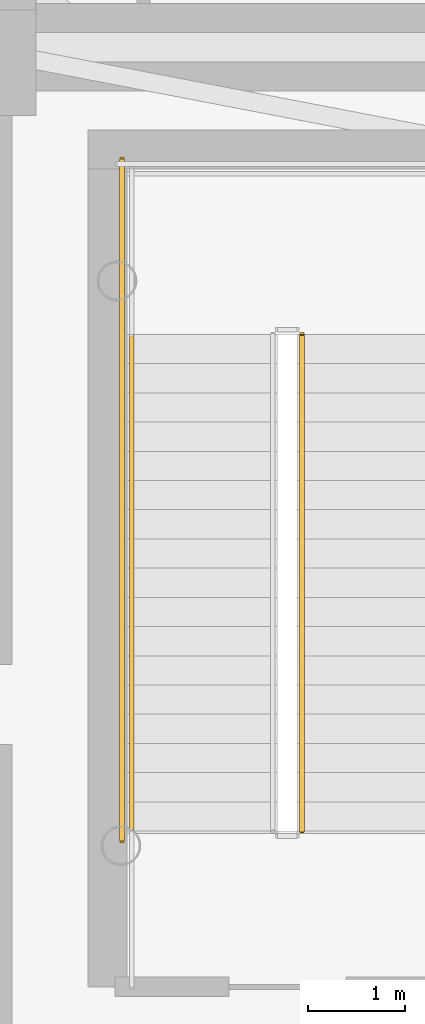
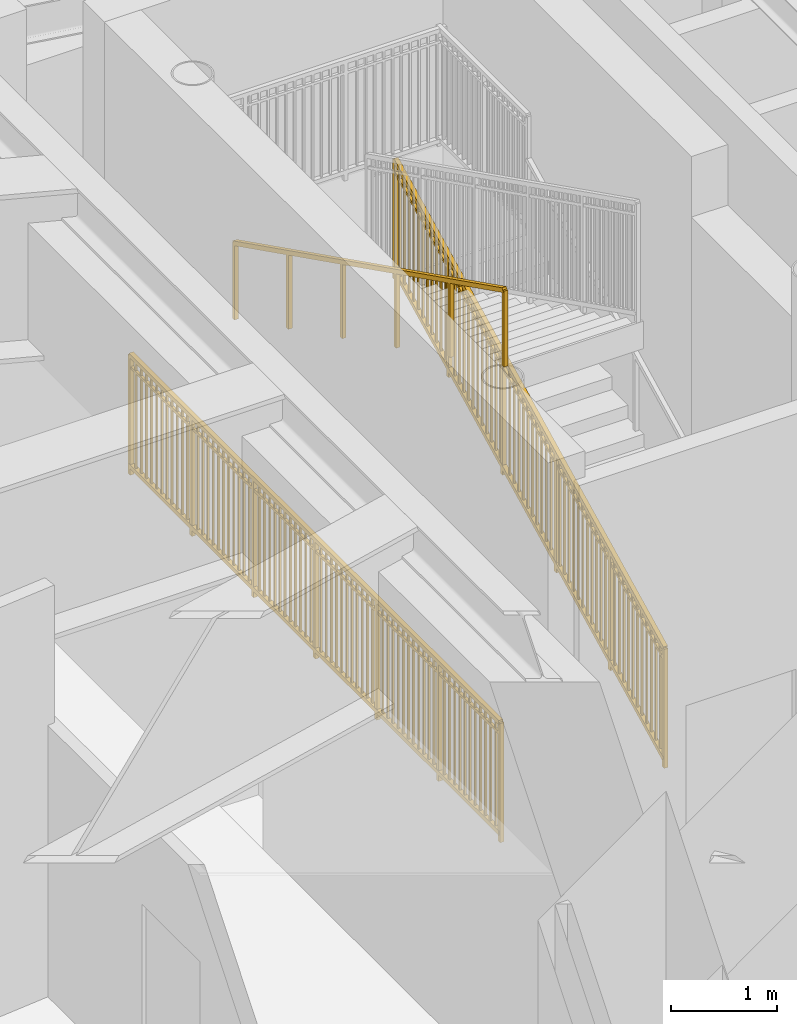
# One storey, part 17 of 22: 3 railings.
"""IFC4 building model written with IfcOpenShell, lengths in metres."""

from ifc_helpers import new_model, si_unit, direction, frame, origin, origin_2d, place, context, subcontext, project, spatial, rectangle, extrude, source, transform, mapped, material, type_object, element, save


model = new_model("IFC4")

# Units and contexts
model_context = context("Model", 3, precision=1e-05, world=origin(), true_north=direction((0.0, 1.0)))
body_context = subcontext(model_context, "Body", "Model", "MODEL_VIEW")
ifc_project = project(units=[si_unit("LENGTHUNIT", "METRE"), si_unit("AREAUNIT", "SQUARE_METRE"), si_unit("VOLUMEUNIT", "CUBIC_METRE"), si_unit("PLANEANGLEUNIT", "RADIAN"), si_unit("MASSUNIT", "GRAM", prefix="KILO")], contexts=[model_context])

# Site, building, storey
site_placement = place(None, origin())
site = spatial("IfcSite", under=ifc_project, at=site_placement, CompositionType="ELEMENT")
building_placement = place(site_placement, origin())
building = spatial("IfcBuilding", under=site, at=building_placement, Name="Linh Dai School and Residence Tower", CompositionType="ELEMENT")
storey_placement = place(building_placement, frame((0.0, 0.0, 87.0)))
storey = spatial("IfcBuildingStorey", under=building, at=storey_placement, Name="L20", CompositionType="ELEMENT", Elevation=87.0)

# Railings
ifc_material_1 = material(Name="Structural Steel S355JR", Category="steel")
railing_type_1 = type_object("IfcRailingType", Name="RL-ST-GUARD-1400", PredefinedType="GUARDRAIL", material=ifc_material_1)
shared_shape_1 = source(origin(), body_context, "Body", "SweptSolid", [
    extrude(rectangle(XDim=0.048095703125, YDim=0.048095703125, at=origin_2d()), frame((0.0, 0.0, 1.3759765625), z_axis=(0.0, 1.0, 0.0), x_axis=(-1.0, 0.0, 0.0)), (0.0, 0.0, 1.0), 7.0),
    extrude(rectangle(XDim=0.048095703125, YDim=0.048095703125, at=origin_2d()), frame((0.0, 0.0, 0.10009765625), z_axis=(0.0, 1.0, 0.0), x_axis=(-1.0, 0.0, 0.0)), (0.0, 0.0, 1.0), 7.0),
    extrude(rectangle(XDim=0.030029296875, YDim=0.030029296875, at=origin_2d()), frame((0.0, 0.0, 1.239990234375), z_axis=(0.0, 1.0, 0.0), x_axis=(-1.0, 0.0, 0.0)), (0.0, 0.0, 1.0), 7.0),
    extrude(rectangle(XDim=0.02001953125, YDim=0.02001953125, at=origin_2d()), frame((0.0, 0.09716796875, 0.10009765625)), (0.0, 0.0, 1.0), 1.251708984375),
    extrude(rectangle(XDim=0.02001953125, YDim=0.02001953125, at=origin_2d()), frame((0.0, 0.1943359375, 0.10009765625)), (0.0, 0.0, 1.0), 1.251708984375),
    extrude(rectangle(XDim=0.02001953125, YDim=0.02001953125, at=origin_2d()), frame((0.0, 0.291748046875, 0.10009765625)), (0.0, 0.0, 1.0), 1.251708984375),
    extrude(rectangle(XDim=0.02001953125, YDim=0.02001953125, at=origin_2d()), frame((0.0, 0.388916015625, 0.10009765625)), (0.0, 0.0, 1.0), 1.251708984375),
    extrude(rectangle(XDim=0.02001953125, YDim=0.02001953125, at=origin_2d()), frame((0.0, 0.486083984375, 0.10009765625)), (0.0, 0.0, 1.0), 1.251708984375),
    extrude(rectangle(XDim=0.02001953125, YDim=0.02001953125, at=origin_2d()), frame((0.0, 0.583251953125, 0.10009765625)), (0.0, 0.0, 1.0), 1.251708984375),
    extrude(rectangle(XDim=0.02001953125, YDim=0.02001953125, at=origin_2d()), frame((0.0, 0.6806640625, 0.10009765625)), (0.0, 0.0, 1.0), 1.251708984375),
    extrude(rectangle(XDim=0.02001953125, YDim=0.02001953125, at=origin_2d()), frame((0.0, 0.77783203125, 0.10009765625)), (0.0, 0.0, 1.0), 1.251708984375),
    extrude(rectangle(XDim=0.02001953125, YDim=0.02001953125, at=origin_2d()), frame((0.0, 0.875, 0.10009765625)), (0.0, 0.0, 1.0), 1.251708984375),
    extrude(rectangle(XDim=0.02001953125, YDim=0.02001953125, at=origin_2d()), frame((0.0, 0.97216796875, 0.10009765625)), (0.0, 0.0, 1.0), 1.251708984375),
    extrude(rectangle(XDim=0.02001953125, YDim=0.02001953125, at=origin_2d()), frame((0.0, 1.0693359375, 0.10009765625)), (0.0, 0.0, 1.0), 1.251708984375),
    extrude(rectangle(XDim=0.02001953125, YDim=0.02001953125, at=origin_2d()), frame((0.0, 1.263916015625, 0.10009765625)), (0.0, 0.0, 1.0), 1.251708984375),
    extrude(rectangle(XDim=0.02001953125, YDim=0.02001953125, at=origin_2d()), frame((0.0, 1.361083984375, 0.10009765625)), (0.0, 0.0, 1.0), 1.251708984375),
    extrude(rectangle(XDim=0.02001953125, YDim=0.02001953125, at=origin_2d()), frame((0.0, 1.458251953125, 0.10009765625)), (0.0, 0.0, 1.0), 1.251708984375),
    extrude(rectangle(XDim=0.02001953125, YDim=0.02001953125, at=origin_2d()), frame((0.0, 1.5556640625, 0.10009765625)), (0.0, 0.0, 1.0), 1.251708984375),
    extrude(rectangle(XDim=0.02001953125, YDim=0.02001953125, at=origin_2d()), frame((0.0, 1.65283203125, 0.10009765625)), (0.0, 0.0, 1.0), 1.251708984375),
    extrude(rectangle(XDim=0.02001953125, YDim=0.02001953125, at=origin_2d()), frame((0.0, 1.75, 0.10009765625)), (0.0, 0.0, 1.0), 1.251708984375),
    extrude(rectangle(XDim=0.02001953125, YDim=0.02001953125, at=origin_2d()), frame((0.0, 1.84716796875, 0.10009765625)), (0.0, 0.0, 1.0), 1.251708984375),
    extrude(rectangle(XDim=0.02001953125, YDim=0.02001953125, at=origin_2d()), frame((0.0, 1.9443359375, 0.10009765625)), (0.0, 0.0, 1.0), 1.251708984375),
    extrude(rectangle(XDim=0.02001953125, YDim=0.02001953125, at=origin_2d()), frame((0.0, 2.041748046875, 0.10009765625)), (0.0, 0.0, 1.0), 1.251708984375),
    extrude(rectangle(XDim=0.02001953125, YDim=0.02001953125, at=origin_2d()), frame((0.0, 2.138916015625, 0.10009765625)), (0.0, 0.0, 1.0), 1.251708984375),
    extrude(rectangle(XDim=0.02001953125, YDim=0.02001953125, at=origin_2d()), frame((0.0, 2.236083984375, 0.10009765625)), (0.0, 0.0, 1.0), 1.251708984375),
    extrude(rectangle(XDim=0.02001953125, YDim=0.02001953125, at=origin_2d()), frame((0.0, 2.4306640625, 0.10009765625)), (0.0, 0.0, 1.0), 1.251708984375),
    extrude(rectangle(XDim=0.02001953125, YDim=0.02001953125, at=origin_2d()), frame((0.0, 2.52783203125, 0.10009765625)), (0.0, 0.0, 1.0), 1.251708984375),
    extrude(rectangle(XDim=0.02001953125, YDim=0.02001953125, at=origin_2d()), frame((0.0, 2.625, 0.10009765625)), (0.0, 0.0, 1.0), 1.251708984375),
    extrude(rectangle(XDim=0.02001953125, YDim=0.02001953125, at=origin_2d()), frame((0.0, 2.72216796875, 0.10009765625)), (0.0, 0.0, 1.0), 1.251708984375),
    extrude(rectangle(XDim=0.02001953125, YDim=0.02001953125, at=origin_2d()), frame((0.0, 2.8193359375, 0.10009765625)), (0.0, 0.0, 1.0), 1.251708984375),
    extrude(rectangle(XDim=0.02001953125, YDim=0.02001953125, at=origin_2d()), frame((0.0, 2.916748046875, 0.10009765625)), (0.0, 0.0, 1.0), 1.251708984375),
    extrude(rectangle(XDim=0.02001953125, YDim=0.02001953125, at=origin_2d()), frame((0.0, 3.013916015625, 0.10009765625)), (0.0, 0.0, 1.0), 1.251708984375),
    extrude(rectangle(XDim=0.02001953125, YDim=0.02001953125, at=origin_2d()), frame((0.0, 3.111083984375, 0.10009765625)), (0.0, 0.0, 1.0), 1.251708984375),
    extrude(rectangle(XDim=0.02001953125, YDim=0.02001953125, at=origin_2d()), frame((0.0, 3.208251953125, 0.10009765625)), (0.0, 0.0, 1.0), 1.251708984375),
    extrude(rectangle(XDim=0.02001953125, YDim=0.02001953125, at=origin_2d()), frame((0.0, 3.3056640625, 0.10009765625)), (0.0, 0.0, 1.0), 1.251708984375),
    extrude(rectangle(XDim=0.02001953125, YDim=0.02001953125, at=origin_2d()), frame((0.0, 3.40283203125, 0.10009765625)), (0.0, 0.0, 1.0), 1.251708984375),
    extrude(rectangle(XDim=0.02001953125, YDim=0.02001953125, at=origin_2d()), frame((0.0, 3.59716796875, 0.10009765625)), (0.0, 0.0, 1.0), 1.251708984375),
    extrude(rectangle(XDim=0.02001953125, YDim=0.02001953125, at=origin_2d()), frame((0.0, 3.6943359375, 0.10009765625)), (0.0, 0.0, 1.0), 1.251708984375),
    extrude(rectangle(XDim=0.02001953125, YDim=0.02001953125, at=origin_2d()), frame((0.0, 3.791748046875, 0.10009765625)), (0.0, 0.0, 1.0), 1.251708984375),
    extrude(rectangle(XDim=0.02001953125, YDim=0.02001953125, at=origin_2d()), frame((0.0, 3.888916015625, 0.10009765625)), (0.0, 0.0, 1.0), 1.251708984375),
    extrude(rectangle(XDim=0.02001953125, YDim=0.02001953125, at=origin_2d()), frame((0.0, 3.986083984375, 0.10009765625)), (0.0, 0.0, 1.0), 1.251708984375),
    extrude(rectangle(XDim=0.02001953125, YDim=0.02001953125, at=origin_2d()), frame((0.0, 4.083251953125, 0.10009765625)), (0.0, 0.0, 1.0), 1.251708984375),
    extrude(rectangle(XDim=0.02001953125, YDim=0.02001953125, at=origin_2d()), frame((0.0, 4.1806640625, 0.10009765625)), (0.0, 0.0, 1.0), 1.251708984375),
    extrude(rectangle(XDim=0.02001953125, YDim=0.02001953125, at=origin_2d()), frame((0.0, 4.27783203125, 0.10009765625)), (0.0, 0.0, 1.0), 1.251708984375),
    extrude(rectangle(XDim=0.02001953125, YDim=0.02001953125, at=origin_2d()), frame((0.0, 4.375, 0.10009765625)), (0.0, 0.0, 1.0), 1.251708984375),
    extrude(rectangle(XDim=0.02001953125, YDim=0.02001953125, at=origin_2d()), frame((0.0, 4.47216796875, 0.10009765625)), (0.0, 0.0, 1.0), 1.251708984375),
    extrude(rectangle(XDim=0.02001953125, YDim=0.02001953125, at=origin_2d()), frame((0.0, 4.5693359375, 0.10009765625)), (0.0, 0.0, 1.0), 1.251708984375),
    extrude(rectangle(XDim=0.02001953125, YDim=0.02001953125, at=origin_2d()), frame((0.0, 4.763916015625, 0.10009765625)), (0.0, 0.0, 1.0), 1.251708984375),
    extrude(rectangle(XDim=0.02001953125, YDim=0.02001953125, at=origin_2d()), frame((0.0, 4.861083984375, 0.10009765625)), (0.0, 0.0, 1.0), 1.251708984375),
    extrude(rectangle(XDim=0.02001953125, YDim=0.02001953125, at=origin_2d()), frame((0.0, 4.958251953125, 0.10009765625)), (0.0, 0.0, 1.0), 1.251708984375),
    extrude(rectangle(XDim=0.02001953125, YDim=0.02001953125, at=origin_2d()), frame((0.0, 5.0556640625, 0.10009765625)), (0.0, 0.0, 1.0), 1.251708984375),
    extrude(rectangle(XDim=0.02001953125, YDim=0.02001953125, at=origin_2d()), frame((0.0, 5.15283203125, 0.10009765625)), (0.0, 0.0, 1.0), 1.251708984375),
    extrude(rectangle(XDim=0.02001953125, YDim=0.02001953125, at=origin_2d()), frame((0.0, 5.25, 0.10009765625)), (0.0, 0.0, 1.0), 1.251708984375),
    extrude(rectangle(XDim=0.02001953125, YDim=0.02001953125, at=origin_2d()), frame((0.0, 5.34716796875, 0.10009765625)), (0.0, 0.0, 1.0), 1.251708984375),
    extrude(rectangle(XDim=0.02001953125, YDim=0.02001953125, at=origin_2d()), frame((0.0, 5.4443359375, 0.10009765625)), (0.0, 0.0, 1.0), 1.251708984375),
    extrude(rectangle(XDim=0.02001953125, YDim=0.02001953125, at=origin_2d()), frame((0.0, 5.541748046875, 0.10009765625)), (0.0, 0.0, 1.0), 1.251708984375),
    extrude(rectangle(XDim=0.02001953125, YDim=0.02001953125, at=origin_2d()), frame((0.0, 5.638916015625, 0.10009765625)), (0.0, 0.0, 1.0), 1.251708984375),
    extrude(rectangle(XDim=0.02001953125, YDim=0.02001953125, at=origin_2d()), frame((0.0, 5.736083984375, 0.10009765625)), (0.0, 0.0, 1.0), 1.251708984375),
    extrude(rectangle(XDim=0.02001953125, YDim=0.02001953125, at=origin_2d()), frame((0.0, 5.9306640625, 0.10009765625)), (0.0, 0.0, 1.0), 1.251708984375),
    extrude(rectangle(XDim=0.02001953125, YDim=0.02001953125, at=origin_2d()), frame((0.0, 6.02783203125, 0.10009765625)), (0.0, 0.0, 1.0), 1.251708984375),
    extrude(rectangle(XDim=0.02001953125, YDim=0.02001953125, at=origin_2d()), frame((0.0, 6.125, 0.10009765625)), (0.0, 0.0, 1.0), 1.251708984375),
    extrude(rectangle(XDim=0.02001953125, YDim=0.02001953125, at=origin_2d()), frame((0.0, 6.22216796875, 0.10009765625)), (0.0, 0.0, 1.0), 1.251708984375),
    extrude(rectangle(XDim=0.02001953125, YDim=0.02001953125, at=origin_2d()), frame((0.0, 6.3193359375, 0.10009765625)), (0.0, 0.0, 1.0), 1.251708984375),
    extrude(rectangle(XDim=0.02001953125, YDim=0.02001953125, at=origin_2d()), frame((0.0, 6.416748046875, 0.10009765625)), (0.0, 0.0, 1.0), 1.251708984375),
    extrude(rectangle(XDim=0.02001953125, YDim=0.02001953125, at=origin_2d()), frame((0.0, 6.513916015625, 0.10009765625)), (0.0, 0.0, 1.0), 1.251708984375),
    extrude(rectangle(XDim=0.02001953125, YDim=0.02001953125, at=origin_2d()), frame((0.0, 6.611083984375, 0.10009765625)), (0.0, 0.0, 1.0), 1.251708984375),
    extrude(rectangle(XDim=0.02001953125, YDim=0.02001953125, at=origin_2d()), frame((0.0, 6.708251953125, 0.10009765625)), (0.0, 0.0, 1.0), 1.251708984375),
    extrude(rectangle(XDim=0.02001953125, YDim=0.02001953125, at=origin_2d()), frame((0.0, 6.8056640625, 0.10009765625)), (0.0, 0.0, 1.0), 1.251708984375),
    extrude(rectangle(XDim=0.02001953125, YDim=0.02001953125, at=origin_2d()), frame((0.0, 6.90283203125, 0.10009765625)), (0.0, 0.0, 1.0), 1.251708984375),
    extrude(rectangle(XDim=0.0419921875, YDim=0.0419921875, at=origin_2d()), origin(), (0.0, 0.0, 1.0), 1.3759765625),
    extrude(rectangle(XDim=0.0419921875, YDim=0.0419921875, at=origin_2d()), frame((0.0, 1.166748046875, 0.0)), (0.0, 0.0, 1.0), 1.3759765625),
    extrude(rectangle(XDim=0.0419921875, YDim=0.0419921875, at=origin_2d()), frame((0.0, 2.333251953125, 0.0)), (0.0, 0.0, 1.0), 1.3759765625),
    extrude(rectangle(XDim=0.0419921875, YDim=0.0419921875, at=origin_2d()), frame((0.0, 3.5, 0.0)), (0.0, 0.0, 1.0), 1.3759765625),
    extrude(rectangle(XDim=0.0419921875, YDim=0.0419921875, at=origin_2d()), frame((0.0, 4.666748046875, 0.0)), (0.0, 0.0, 1.0), 1.3759765625),
    extrude(rectangle(XDim=0.0419921875, YDim=0.0419921875, at=origin_2d()), frame((0.0, 5.833251953125, 0.0)), (0.0, 0.0, 1.0), 1.3759765625),
    extrude(rectangle(XDim=0.0419921875, YDim=0.0419921875, at=origin_2d()), frame((0.0, 7.0, 0.0)), (0.0, 0.0, 1.0), 1.3759765625),
])
railing_1_placement = place(storey_placement, frame((27.6298828125, 25.60009765625, 0.0)))
element("IfcRailing", 1, at=railing_1_placement, inside=storey, type_object=railing_type_1, Name="L20 ST1 stair guard 11", PredefinedType="GUARDRAIL", context=body_context, shape_type="MappedRepresentation", body=[
    mapped(shared_shape_1, transform((0.0, 0.0, 0.0), x_axis=(1.0, 0.0, 0.0), y_axis=(0.0, 1.0, 0.0), z_axis=(0.0, 0.0, 1.0), scale=1.0)),
])
shared_shape_2 = source(origin(), body_context, "Body", "SweptSolid", [
    extrude(rectangle(XDim=0.048095703125, YDim=0.048095703125, at=origin_2d()), frame((0.0, 0.0, 1.3759765625), z_axis=(0.0, 0.894427191, 0.4472135955), x_axis=(-1.0, 0.0, 0.0)), (0.0, 0.0, 1.0), 5.7021484375),
    extrude(rectangle(XDim=0.048095703125, YDim=0.048095703125, at=origin_2d()), frame((0.0, 0.0, 0.10009765625), z_axis=(0.0, 0.894427191, 0.4472135955), x_axis=(-1.0, 0.0, 0.0)), (0.0, 0.0, 1.0), 5.7021484375),
    extrude(rectangle(XDim=0.030029296875, YDim=0.030029296875, at=origin_2d()), frame((0.0, 0.0, 1.239990234375), z_axis=(0.0, 0.894427191, 0.4472135955), x_axis=(-1.0, 0.0, 0.0)), (0.0, 0.0, 1.0), 5.7021484375),
    extrude(rectangle(XDim=0.02001953125, YDim=0.02001953125, at=origin_2d()), frame((0.0, 0.08642578125, 0.143310546875)), (0.0, 0.0, 1.0), 1.251708984375),
    extrude(rectangle(XDim=0.02001953125, YDim=0.02001953125, at=origin_2d()), frame((0.0, 0.1728515625, 0.1865234375)), (0.0, 0.0, 1.0), 1.251708984375),
    extrude(rectangle(XDim=0.02001953125, YDim=0.02001953125, at=origin_2d()), frame((0.0, 0.25927734375, 0.229736328125)), (0.0, 0.0, 1.0), 1.251708984375),
    extrude(rectangle(XDim=0.02001953125, YDim=0.02001953125, at=origin_2d()), frame((0.0, 0.345703125, 0.27294921875)), (0.0, 0.0, 1.0), 1.251708984375),
    extrude(rectangle(XDim=0.02001953125, YDim=0.02001953125, at=origin_2d()), frame((0.0, 0.43212890625, 0.316162109375)), (0.0, 0.0, 1.0), 1.251708984375),
    extrude(rectangle(XDim=0.02001953125, YDim=0.02001953125, at=origin_2d()), frame((0.0, 0.5185546875, 0.359375)), (0.0, 0.0, 1.0), 1.251708984375),
    extrude(rectangle(XDim=0.02001953125, YDim=0.02001953125, at=origin_2d()), frame((0.0, 0.60498046875, 0.402587890625)), (0.0, 0.0, 1.0), 1.251708984375),
    extrude(rectangle(XDim=0.02001953125, YDim=0.02001953125, at=origin_2d()), frame((0.0, 0.691650390625, 0.44580078125)), (0.0, 0.0, 1.0), 1.251708984375),
    extrude(rectangle(XDim=0.02001953125, YDim=0.02001953125, at=origin_2d()), frame((0.0, 0.778076171875, 0.489013671875)), (0.0, 0.0, 1.0), 1.251708984375),
    extrude(rectangle(XDim=0.02001953125, YDim=0.02001953125, at=origin_2d()), frame((0.0, 0.864501953125, 0.5322265625)), (0.0, 0.0, 1.0), 1.251708984375),
    extrude(rectangle(XDim=0.02001953125, YDim=0.02001953125, at=origin_2d()), frame((0.0, 0.950927734375, 0.575439453125)), (0.0, 0.0, 1.0), 1.251708984375),
    extrude(rectangle(XDim=0.02001953125, YDim=0.02001953125, at=origin_2d()), frame((0.0, 1.123779296875, 0.661865234375)), (0.0, 0.0, 1.0), 1.251708984375),
    extrude(rectangle(XDim=0.02001953125, YDim=0.02001953125, at=origin_2d()), frame((0.0, 1.210205078125, 0.705078125)), (0.0, 0.0, 1.0), 1.251708984375),
    extrude(rectangle(XDim=0.02001953125, YDim=0.02001953125, at=origin_2d()), frame((0.0, 1.296630859375, 0.74853515625)), (0.0, 0.0, 1.0), 1.251708984375),
    extrude(rectangle(XDim=0.02001953125, YDim=0.02001953125, at=origin_2d()), frame((0.0, 1.383056640625, 0.791748046875)), (0.0, 0.0, 1.0), 1.251708984375),
    extrude(rectangle(XDim=0.02001953125, YDim=0.02001953125, at=origin_2d()), frame((0.0, 1.469482421875, 0.8349609375)), (0.0, 0.0, 1.0), 1.251708984375),
    extrude(rectangle(XDim=0.02001953125, YDim=0.02001953125, at=origin_2d()), frame((0.0, 1.555908203125, 0.878173828125)), (0.0, 0.0, 1.0), 1.251708984375),
    extrude(rectangle(XDim=0.02001953125, YDim=0.02001953125, at=origin_2d()), frame((0.0, 1.642333984375, 0.92138671875)), (0.0, 0.0, 1.0), 1.251708984375),
    extrude(rectangle(XDim=0.02001953125, YDim=0.02001953125, at=origin_2d()), frame((0.0, 1.728759765625, 0.964599609375)), (0.0, 0.0, 1.0), 1.251708984375),
    extrude(rectangle(XDim=0.02001953125, YDim=0.02001953125, at=origin_2d()), frame((0.0, 1.815185546875, 1.0078125)), (0.0, 0.0, 1.0), 1.251708984375),
    extrude(rectangle(XDim=0.02001953125, YDim=0.02001953125, at=origin_2d()), frame((0.0, 1.901611328125, 1.051025390625)), (0.0, 0.0, 1.0), 1.251708984375),
    extrude(rectangle(XDim=0.02001953125, YDim=0.02001953125, at=origin_2d()), frame((0.0, 1.98828125, 1.09423828125)), (0.0, 0.0, 1.0), 1.251708984375),
    extrude(rectangle(XDim=0.02001953125, YDim=0.02001953125, at=origin_2d()), frame((0.0, 2.1611328125, 1.1806640625)), (0.0, 0.0, 1.0), 1.251708984375),
    extrude(rectangle(XDim=0.02001953125, YDim=0.02001953125, at=origin_2d()), frame((0.0, 2.24755859375, 1.223876953125)), (0.0, 0.0, 1.0), 1.251708984375),
    extrude(rectangle(XDim=0.02001953125, YDim=0.02001953125, at=origin_2d()), frame((0.0, 2.333984375, 1.26708984375)), (0.0, 0.0, 1.0), 1.251708984375),
    extrude(rectangle(XDim=0.02001953125, YDim=0.02001953125, at=origin_2d()), frame((0.0, 2.42041015625, 1.310302734375)), (0.0, 0.0, 1.0), 1.251708984375),
    extrude(rectangle(XDim=0.02001953125, YDim=0.02001953125, at=origin_2d()), frame((0.0, 2.5068359375, 1.353515625)), (0.0, 0.0, 1.0), 1.251708984375),
    extrude(rectangle(XDim=0.02001953125, YDim=0.02001953125, at=origin_2d()), frame((0.0, 2.59326171875, 1.396728515625)), (0.0, 0.0, 1.0), 1.251708984375),
    extrude(rectangle(XDim=0.02001953125, YDim=0.02001953125, at=origin_2d()), frame((0.0, 2.6796875, 1.43994140625)), (0.0, 0.0, 1.0), 1.251708984375),
    extrude(rectangle(XDim=0.02001953125, YDim=0.02001953125, at=origin_2d()), frame((0.0, 2.76611328125, 1.483154296875)), (0.0, 0.0, 1.0), 1.251708984375),
    extrude(rectangle(XDim=0.02001953125, YDim=0.02001953125, at=origin_2d()), frame((0.0, 2.8525390625, 1.5263671875)), (0.0, 0.0, 1.0), 1.251708984375),
    extrude(rectangle(XDim=0.02001953125, YDim=0.02001953125, at=origin_2d()), frame((0.0, 2.93896484375, 1.569580078125)), (0.0, 0.0, 1.0), 1.251708984375),
    extrude(rectangle(XDim=0.02001953125, YDim=0.02001953125, at=origin_2d()), frame((0.0, 3.11181640625, 1.656005859375)), (0.0, 0.0, 1.0), 1.251708984375),
    extrude(rectangle(XDim=0.02001953125, YDim=0.02001953125, at=origin_2d()), frame((0.0, 3.198486328125, 1.69921875)), (0.0, 0.0, 1.0), 1.251708984375),
    extrude(rectangle(XDim=0.02001953125, YDim=0.02001953125, at=origin_2d()), frame((0.0, 3.284912109375, 1.742431640625)), (0.0, 0.0, 1.0), 1.251708984375),
    extrude(rectangle(XDim=0.02001953125, YDim=0.02001953125, at=origin_2d()), frame((0.0, 3.371337890625, 1.78564453125)), (0.0, 0.0, 1.0), 1.251708984375),
    extrude(rectangle(XDim=0.02001953125, YDim=0.02001953125, at=origin_2d()), frame((0.0, 3.457763671875, 1.828857421875)), (0.0, 0.0, 1.0), 1.251708984375),
    extrude(rectangle(XDim=0.02001953125, YDim=0.02001953125, at=origin_2d()), frame((0.0, 3.544189453125, 1.8720703125)), (0.0, 0.0, 1.0), 1.251708984375),
    extrude(rectangle(XDim=0.02001953125, YDim=0.02001953125, at=origin_2d()), frame((0.0, 3.630615234375, 1.915283203125)), (0.0, 0.0, 1.0), 1.251708984375),
    extrude(rectangle(XDim=0.02001953125, YDim=0.02001953125, at=origin_2d()), frame((0.0, 3.717041015625, 1.95849609375)), (0.0, 0.0, 1.0), 1.251708984375),
    extrude(rectangle(XDim=0.02001953125, YDim=0.02001953125, at=origin_2d()), frame((0.0, 3.803466796875, 2.001708984375)), (0.0, 0.0, 1.0), 1.251708984375),
    extrude(rectangle(XDim=0.02001953125, YDim=0.02001953125, at=origin_2d()), frame((0.0, 3.889892578125, 2.045166015625)), (0.0, 0.0, 1.0), 1.251708984375),
    extrude(rectangle(XDim=0.02001953125, YDim=0.02001953125, at=origin_2d()), frame((0.0, 3.976318359375, 2.08837890625)), (0.0, 0.0, 1.0), 1.251708984375),
    extrude(rectangle(XDim=0.02001953125, YDim=0.02001953125, at=origin_2d()), frame((0.0, 4.149169921875, 2.1748046875)), (0.0, 0.0, 1.0), 1.251708984375),
    extrude(rectangle(XDim=0.02001953125, YDim=0.02001953125, at=origin_2d()), frame((0.0, 4.235595703125, 2.218017578125)), (0.0, 0.0, 1.0), 1.251708984375),
    extrude(rectangle(XDim=0.02001953125, YDim=0.02001953125, at=origin_2d()), frame((0.0, 4.322021484375, 2.26123046875)), (0.0, 0.0, 1.0), 1.251708984375),
    extrude(rectangle(XDim=0.02001953125, YDim=0.02001953125, at=origin_2d()), frame((0.0, 4.408447265625, 2.304443359375)), (0.0, 0.0, 1.0), 1.251708984375),
    extrude(rectangle(XDim=0.02001953125, YDim=0.02001953125, at=origin_2d()), frame((0.0, 4.4951171875, 2.34765625)), (0.0, 0.0, 1.0), 1.251708984375),
    extrude(rectangle(XDim=0.02001953125, YDim=0.02001953125, at=origin_2d()), frame((0.0, 4.58154296875, 2.390869140625)), (0.0, 0.0, 1.0), 1.251708984375),
    extrude(rectangle(XDim=0.02001953125, YDim=0.02001953125, at=origin_2d()), frame((0.0, 4.66796875, 2.43408203125)), (0.0, 0.0, 1.0), 1.251708984375),
    extrude(rectangle(XDim=0.02001953125, YDim=0.02001953125, at=origin_2d()), frame((0.0, 4.75439453125, 2.477294921875)), (0.0, 0.0, 1.0), 1.251708984375),
    extrude(rectangle(XDim=0.02001953125, YDim=0.02001953125, at=origin_2d()), frame((0.0, 4.8408203125, 2.5205078125)), (0.0, 0.0, 1.0), 1.251708984375),
    extrude(rectangle(XDim=0.02001953125, YDim=0.02001953125, at=origin_2d()), frame((0.0, 4.92724609375, 2.563720703125)), (0.0, 0.0, 1.0), 1.251708984375),
    extrude(rectangle(XDim=0.02001953125, YDim=0.02001953125, at=origin_2d()), frame((0.0, 5.013671875, 2.60693359375)), (0.0, 0.0, 1.0), 1.251708984375),
    extrude(rectangle(XDim=0.0419921875, YDim=0.0419921875, at=origin_2d()), origin(), (0.0, 0.0, 1.0), 1.3759765625),
    extrude(rectangle(XDim=0.0419921875, YDim=0.0419921875, at=origin_2d()), frame((0.0, 1.02001953125, 0.510009765625)), (0.0, 0.0, 1.0), 1.3759765625),
    extrude(rectangle(XDim=0.0419921875, YDim=0.0419921875, at=origin_2d()), frame((0.0, 2.0400390625, 1.02001953125)), (0.0, 0.0, 1.0), 1.3759765625),
    extrude(rectangle(XDim=0.0419921875, YDim=0.0419921875, at=origin_2d()), frame((0.0, 3.06005859375, 1.530029296875)), (0.0, 0.0, 1.0), 1.3759765625),
    extrude(rectangle(XDim=0.0419921875, YDim=0.0419921875, at=origin_2d()), frame((0.0, 4.080078125, 2.0400390625)), (0.0, 0.0, 1.0), 1.3759765625),
    extrude(rectangle(XDim=0.0419921875, YDim=0.0419921875, at=origin_2d()), frame((0.0, 5.10009765625, 2.550048828125)), (0.0, 0.0, 1.0), 1.3759765625),
])
railing_2_placement = place(storey_placement, frame((29.47998046875, 25.699951171875, 0.14990234375)))
element("IfcRailing", 2, at=railing_2_placement, inside=storey, type_object=railing_type_1, Name="L20 ST1 stair guard 1", PredefinedType="GUARDRAIL", context=body_context, shape_type="MappedRepresentation", body=[
    mapped(shared_shape_2, transform((0.0, 0.0, 0.0), x_axis=(1.0, 0.0, 0.0), y_axis=(0.0, 1.0, 0.0), z_axis=(0.0, 0.0, 1.0), scale=1.0)),
])
ifc_material_2 = material(Name="Brushed Stainless Steel Handrail", Category="steel")
railing_type_2 = type_object("IfcRailingType", Name="RL-ST-HANDRAIL-900", PredefinedType="HANDRAIL", material=ifc_material_2)
shared_shape_3 = source(origin(), body_context, "Body", "SweptSolid", [
    extrude(rectangle(XDim=0.048095703125, YDim=0.048095703125, at=origin_2d()), frame((0.0, 0.0, 0.8759765625), z_axis=(0.0, -0.89444431709, 0.44717934168), x_axis=(1.0, 0.0, 0.0)), (0.0, 0.0, 1.0), 5.701904296875),
    extrude(rectangle(XDim=0.0419921875, YDim=0.0419921875, at=origin_2d()), origin(), (0.0, 0.0, 1.0), 0.8759765625),
    extrude(rectangle(XDim=0.0419921875, YDim=0.0419921875, at=origin_2d()), frame((0.0, -1.02001953125, 0.510009765625)), (0.0, 0.0, 1.0), 0.8759765625),
    extrude(rectangle(XDim=0.0419921875, YDim=0.0419921875, at=origin_2d()), frame((0.0, -2.0400390625, 1.02001953125)), (0.0, 0.0, 1.0), 0.8759765625),
    extrude(rectangle(XDim=0.0419921875, YDim=0.0419921875, at=origin_2d()), frame((0.0, -3.06005859375, 1.52978515625)), (0.0, 0.0, 1.0), 0.8759765625),
    extrude(rectangle(XDim=0.0419921875, YDim=0.0419921875, at=origin_2d()), frame((0.0, -4.080078125, 2.039794921875)), (0.0, 0.0, 1.0), 0.8759765625),
    extrude(rectangle(XDim=0.0419921875, YDim=0.0419921875, at=origin_2d()), frame((0.0, -5.10009765625, 2.5498046875)), (0.0, 0.0, 1.0), 0.8759765625),
])
railing_3_placement = place(storey_placement, frame((27.72998046875, 30.800048828125, 2.85009765625)))
element("IfcRailing", 3, at=railing_3_placement, inside=storey, type_object=railing_type_2, Name="L20 ST1 stair handrail 2", PredefinedType="HANDRAIL", context=body_context, shape_type="MappedRepresentation", body=[
    mapped(shared_shape_3, transform((0.0, 0.0, 0.0), x_axis=(1.0, 0.0, 0.0), y_axis=(0.0, 1.0, 0.0), z_axis=(0.0, 0.0, 1.0), scale=1.0)),
])

save(model, "model.ifc")
